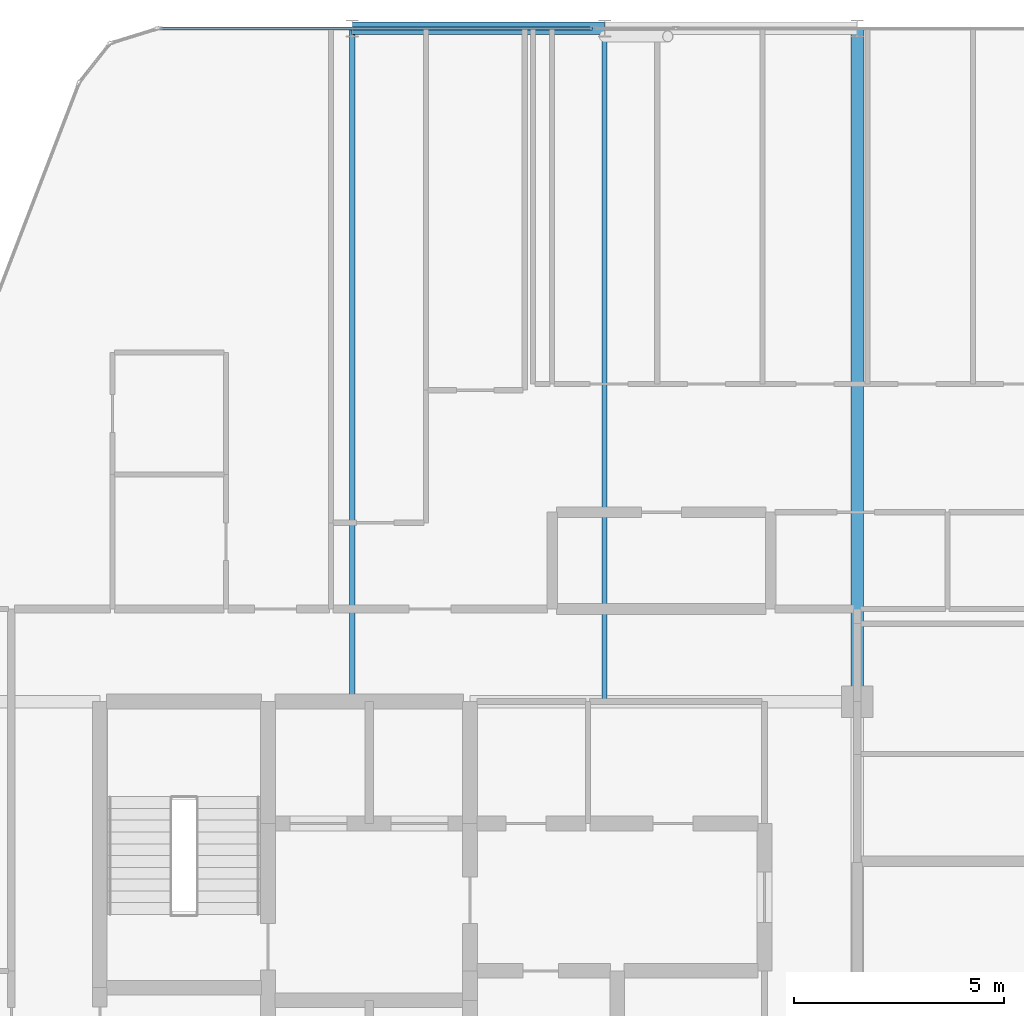
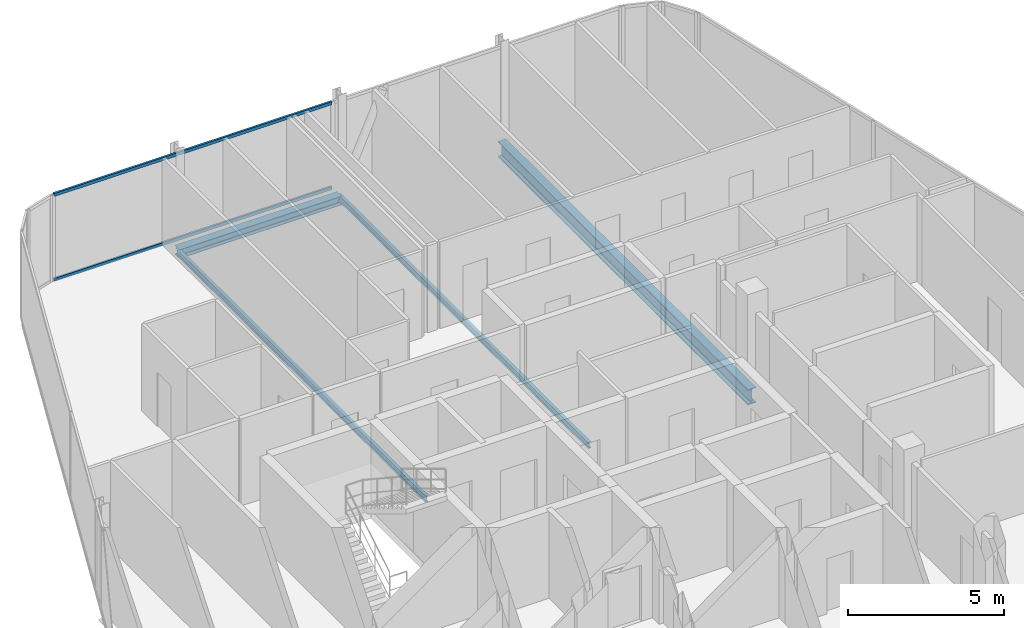
# One storey, part 18 of 31: 4 beams, 2 members, 1 element without a shape of its own.
"""IFC4 building model written with IfcOpenShell, lengths in metres."""

from ifc_helpers import new_model, si_unit, direction, frame, origin, origin_2d, place, context, subcontext, project, spatial, hollow_rectangle, i_section, extrude, material, layer, layer_set, material_profile, profile_set, type_object, element, aggregate, save


model = new_model("IFC4")

# Units and contexts
model_context = context("Model", 3, precision=1e-05, world=origin(), true_north=direction((0.0, 1.0)))
body_context = subcontext(model_context, "Body", "Model", "MODEL_VIEW")
ifc_project = project(units=[si_unit("LENGTHUNIT", "METRE"), si_unit("AREAUNIT", "SQUARE_METRE"), si_unit("VOLUMEUNIT", "CUBIC_METRE"), si_unit("PLANEANGLEUNIT", "RADIAN"), si_unit("MASSUNIT", "GRAM", prefix="KILO")], contexts=[model_context])

# Site, building, storey
site_placement = place(None, origin())
site = spatial("IfcSite", under=ifc_project, at=site_placement, CompositionType="ELEMENT")
building_placement = place(site_placement, origin())
building = spatial("IfcBuilding", under=site, at=building_placement, Name="Keshet Zoharim Tower", CompositionType="ELEMENT")
storey_placement = place(building_placement, frame((0.0, 0.0, 276.89990234375)))
storey = spatial("IfcBuildingStorey", under=building, at=storey_placement, Name="L69", CompositionType="ELEMENT", Elevation=276.89990234375)

# Beams
ifc_material_1 = material(Name="Steel S355", Category="steel")
ifc_material_profile_1 = material_profile(ifc_material_1, i_section(OverallWidth=0.1201171875, OverallDepth=0.239990234375, WebThickness=0.006103515625, FlangeThickness=0.009765625, FilletRadius=0.014892578125, at=origin_2d()), Name="IPE240")
ifc_profile_set_1 = profile_set([ifc_material_profile_1], Name="Steel S355")
beam_type_1 = type_object("IfcBeamType", Name="BM-JST-IP240", PredefinedType="JOIST", material=ifc_profile_set_1)
for number, where, z_axis, x_axis, name in (
    (1, (21.0, 37.89990234375, -0.429931640625), (0.0, 1.0, 0.0), (-1.0, 0.0, 0.0), "L69 Secondary Floor Joist J-001"),
    (2, (27.0, 37.89990234375, -0.429931640625), (0.0, 1.0, 0.0), (-1.0, 0.0, 0.0), "L69 Secondary Floor Joist J-002"),
):
    element("IfcBeam", number, at=place(storey_placement, frame(where, z_axis=z_axis, x_axis=x_axis)), inside=storey, type_object=beam_type_1, Name=name, PredefinedType="JOIST", context=body_context, shape_type="SweptSolid", body=[
        extrude(i_section(OverallWidth=0.1201171875, OverallDepth=0.239990234375, WebThickness=0.006103515625, FlangeThickness=0.009765625, FilletRadius=0.014892578125, at=origin_2d()), origin(), (0.0, 0.0, 1.0), 16.0),
    ])
ifc_material_profile_2 = material_profile(ifc_material_1, i_section(OverallWidth=0.300048828125, OverallDepth=0.60009765625, WebThickness=0.015380859375, FlangeThickness=0.030029296875, FilletRadius=0.027099609375, at=origin_2d()), Name="HEB600")
ifc_profile_set_2 = profile_set([ifc_material_profile_2], Name="Steel S355")
beam_type_2 = type_object("IfcBeamType", Name="BM-LNG-HB600", PredefinedType="BEAM", material=ifc_profile_set_2)
beam_1_placement = place(storey_placement, frame((33.0, 37.89990234375, -0.60986328125), z_axis=(0.0, 1.0, 0.0), x_axis=(-1.0, 0.0, 0.0)))
element("IfcBeam", 3, at=beam_1_placement, inside=storey, type_object=beam_type_2, Name="L69 Primary Girder Y-009", PredefinedType="BEAM", context=body_context, shape_type="SweptSolid", body=[
    extrude(i_section(OverallWidth=0.300048828125, OverallDepth=0.60009765625, WebThickness=0.015380859375, FlangeThickness=0.030029296875, FilletRadius=0.027099609375, at=origin_2d()), origin(), (0.0, 0.0, 1.0), 16.0),
])
ifc_material_profile_3 = material_profile(ifc_material_1, i_section(OverallWidth=0.300048828125, OverallDepth=0.35009765625, WebThickness=0.010009765625, FlangeThickness=0.017578125, FilletRadius=0.027099609375, at=origin_2d()), Name="HEA360")
ifc_profile_set_3 = profile_set([ifc_material_profile_3], Name="Steel S355")
beam_type_3 = type_object("IfcBeamType", Name="BM-PRI-HA360", PredefinedType="BEAM", material=ifc_profile_set_3)
beam_2_placement = place(storey_placement, frame((21.0, 53.89990234375, -0.48486328125), z_axis=(1.0, 0.0, 0.0), x_axis=(0.0, 1.0, 0.0)))
element("IfcBeam", 4, at=beam_2_placement, inside=storey, type_object=beam_type_3, Name="L69 Primary Girder X-010", PredefinedType="BEAM", context=body_context, shape_type="SweptSolid", body=[
    extrude(i_section(OverallWidth=0.300048828125, OverallDepth=0.35009765625, WebThickness=0.010009765625, FlangeThickness=0.017578125, FilletRadius=0.027099609375, at=origin_2d()), origin(), (0.0, 0.0, 1.0), 6.0),
])

# Curtain wall, members
ifc_material_2 = material(Name="Aluminium 6063-T6", Category="aluminium")
ifc_layer = layer(ifc_material_2, 0.260009765625)
ifc_layer_set = layer_set([ifc_layer], Name="Aluminium 6063-T6")
curtain_wall_type = type_object("IfcCurtainWallType", Name="CW-SYS-06", PredefinedType="NOTDEFINED", material=ifc_layer_set)
curtain_wall_placement = place(storey_placement, origin())
curtain_wall = element("IfcCurtainWall", 5, at=curtain_wall_placement, inside=storey, type_object=curtain_wall_type, Name="L69 Unitised Curtain Wall 06", PredefinedType="NOTDEFINED")
ifc_material_profile_4 = material_profile(ifc_material_2, hollow_rectangle(XDim=0.074951171875, YDim=0.1201171875, WallThickness=0.00390625, at=origin_2d()), Name="TRN-75x120")
ifc_profile_set_4 = profile_set([ifc_material_profile_4], Name="Aluminium 6063-T6")
member_type = type_object("IfcMemberType", Name="CWT-T12", PredefinedType="USERDEFINED", material=ifc_profile_set_4)
member_1_placement = place(storey_placement, frame((16.444091796875, 53.89990234375, 0.03515625), z_axis=(1.0, 0.0, 0.0), x_axis=(0.0, 1.0, 0.0)))
member_1 = element("IfcMember", 6, at=member_1_placement, type_object=member_type, Name="CW-06 transom 1.1", ObjectType="TRANSOM", PredefinedType="USERDEFINED", context=body_context, shape_type="SweptSolid", body=[
    extrude(hollow_rectangle(XDim=0.074951171875, YDim=0.1201171875, WallThickness=0.00390625, at=origin_2d()), origin(), (0.0, 0.0, 1.0), 10.260986328125),
])
member_2_placement = place(storey_placement, frame((16.444091796875, 53.89990234375, 3.35498046875), z_axis=(1.0, 0.0, 0.0), x_axis=(0.0, 1.0, 0.0)))
member_2 = element("IfcMember", 7, at=member_2_placement, type_object=member_type, Name="CW-06 transom 1.2", ObjectType="TRANSOM", PredefinedType="USERDEFINED", context=body_context, shape_type="SweptSolid", body=[
    extrude(hollow_rectangle(XDim=0.074951171875, YDim=0.1201171875, WallThickness=0.00390625, at=origin_2d()), origin(), (0.0, 0.0, 1.0), 10.260986328125),
])
aggregate(curtain_wall, [member_1, member_2])

save(model, "model.ifc")
